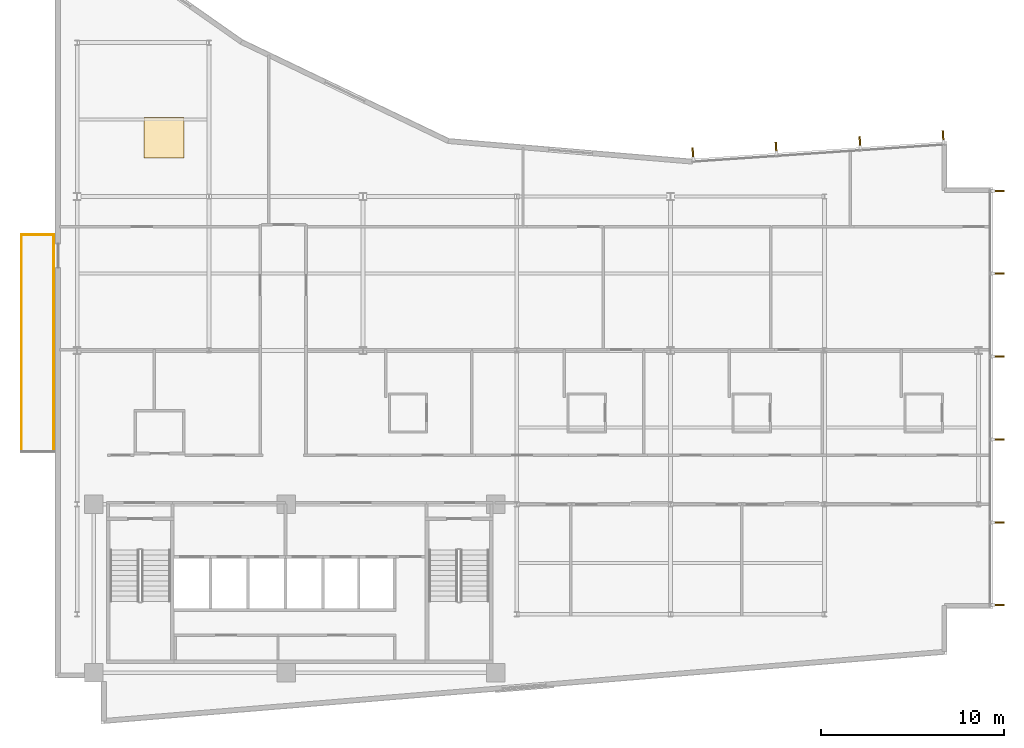
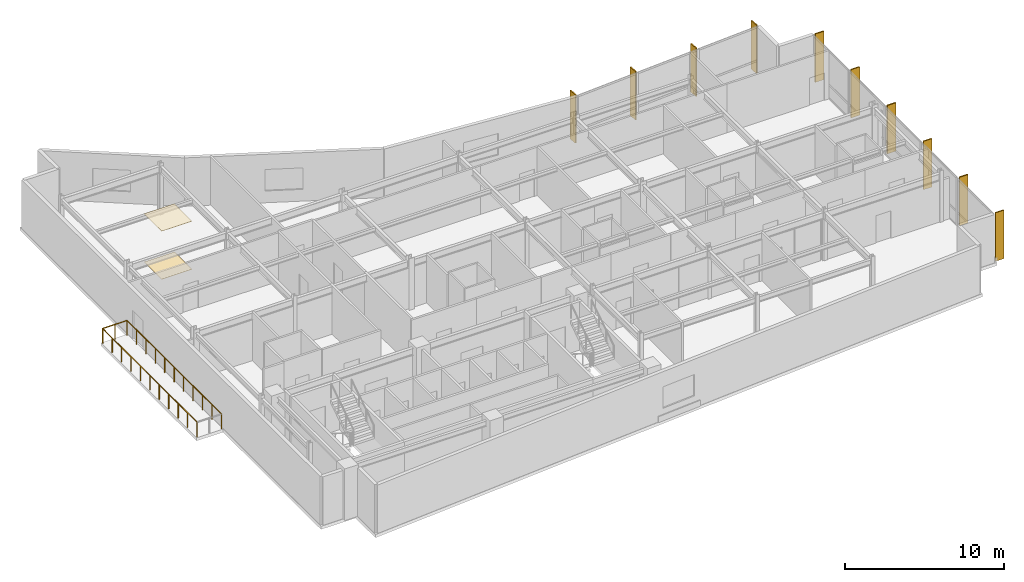
# One storey, part 15 of 16: 10 shading devices, 3 railings, 2 coverings.
"""IFC4 building model written with IfcOpenShell, lengths in metres."""

from ifc_helpers import new_model, si_unit, direction, frame, origin, origin_2d, place, context, subcontext, project, spatial, rectangle, circle, extrude, material, layer, layer_set, type_object, element, save


model = new_model("IFC4")

# Units and contexts
model_context = context("Model", 3, precision=1e-05, world=origin(), true_north=direction((0.0, 1.0)))
body_context = subcontext(model_context, "Body", "Model", "MODEL_VIEW")
ifc_project = project(units=[si_unit("LENGTHUNIT", "METRE"), si_unit("AREAUNIT", "SQUARE_METRE"), si_unit("VOLUMEUNIT", "CUBIC_METRE"), si_unit("PLANEANGLEUNIT", "RADIAN"), si_unit("MASSUNIT", "GRAM", prefix="KILO")], contexts=[model_context])

# Site, building, storey
site_placement = place(None, origin())
site = spatial("IfcSite", under=ifc_project, at=site_placement, CompositionType="ELEMENT")
building_placement = place(site_placement, origin())
building = spatial("IfcBuilding", under=site, at=building_placement, Name="Varnakote Quay Hospital", CompositionType="ELEMENT")
storey_placement = place(building_placement, frame((0.0, 0.0, 188.14990234375)))
storey = spatial("IfcBuildingStorey", under=building, at=storey_placement, Name="L46", CompositionType="ELEMENT", Elevation=188.14990234375)

# Coverings
ifc_material_1 = material(Name="Antimicrobial acoustic mineral ceiling tile", Category="gypsum")
ifc_layer_1 = layer(ifc_material_1, 0.02490234375)
ifc_layer_set_1 = layer_set([ifc_layer_1], Name="Antimicrobial acoustic mineral ceiling tile")
covering_type_1 = type_object("IfcCoveringType", Name="COV-CLIN-CEIL-25", PredefinedType="CEILING", material=ifc_layer_set_1)
covering_1_placement = place(storey_placement, frame((5.945068359375, 32.0048828125, 3.68505859375), z_axis=(0.0, 0.0, 1.0), x_axis=(1.0, 0.0, 0.0)))
element("IfcCovering", 1, at=covering_1_placement, inside=storey, type_object=covering_type_1, Name="L46 Antimicrobial Acoustic Ceiling Tile", PredefinedType="CEILING", context=body_context, shape_type="SweptSolid", body=[
    extrude(rectangle(XDim=2.199951171875, YDim=2.199951171875, at=origin_2d()), origin(), (0.0, 0.0, 1.0), 0.02490234375),
])
ifc_material_2 = material(Name="Seamless clinical sheet vinyl flooring")
ifc_layer_2 = layer(ifc_material_2, 0.011962890625)
ifc_layer_set_2 = layer_set([ifc_layer_2], Name="Seamless clinical sheet vinyl flooring")
covering_type_2 = type_object("IfcCoveringType", Name="COV-CLIN-VINYL-12", PredefinedType="FLOORING", material=ifc_layer_set_2)
covering_2_placement = place(storey_placement, frame((5.945068359375, 32.0048828125, 0.0), z_axis=(0.0, 0.0, 1.0), x_axis=(1.0, 0.0, 0.0)))
element("IfcCovering", 2, at=covering_2_placement, inside=storey, type_object=covering_type_2, Name="L46 Seamless Clinical Vinyl Flooring", PredefinedType="FLOORING", context=body_context, shape_type="SweptSolid", body=[
    extrude(rectangle(XDim=2.199951171875, YDim=2.199951171875, at=origin_2d()), origin(), (0.0, 0.0, 1.0), 0.011962890625),
])

# Railings
ifc_material_3 = material(Name="Anodised aluminium 6063-T6 Bronze", Category="aluminium")
railing_type = type_object("IfcRailingType", Name="RLG-EXT-GUARD-1150", PredefinedType="GUARDRAIL", material=ifc_material_3)
railing_1_placement = place(storey_placement, frame((-1.840087890625, 14.8798828125, 0.0)))
element("IfcRailing", 3, at=railing_1_placement, inside=storey, type_object=railing_type, Name="L46 Zigzag Prow Healing Terrace Safety Guard", PredefinedType="GUARDRAIL", context=body_context, shape_type="SweptSolid", body=[
    extrude(circle(Radius=0.02392578125, at=origin_2d()), frame((0.0, 0.0, 1.1259765625), z_axis=(0.0, 1.0, 0.0), x_axis=(-1.0, 0.0, 0.0)), (0.0, 0.0, 1.0), 11.840087890625),
    extrude(circle(Radius=0.02099609375, at=origin_2d()), origin(), (0.0, 0.0, 1.0), 1.101806640625),
    extrude(circle(Radius=0.02099609375, at=origin_2d()), frame((0.0, 1.18408203125, 0.0)), (0.0, 0.0, 1.0), 1.101806640625),
    extrude(circle(Radius=0.02099609375, at=origin_2d()), frame((0.0, 2.367919921875, 0.0)), (0.0, 0.0, 1.0), 1.101806640625),
    extrude(circle(Radius=0.02099609375, at=origin_2d()), frame((0.0, 3.552001953125, 0.0)), (0.0, 0.0, 1.0), 1.101806640625),
    extrude(circle(Radius=0.02099609375, at=origin_2d()), frame((0.0, 4.736083984375, 0.0)), (0.0, 0.0, 1.0), 1.101806640625),
    extrude(circle(Radius=0.02099609375, at=origin_2d()), frame((0.0, 5.919921875, 0.0)), (0.0, 0.0, 1.0), 1.101806640625),
    extrude(circle(Radius=0.02099609375, at=origin_2d()), frame((0.0, 7.10400390625, 0.0)), (0.0, 0.0, 1.0), 1.101806640625),
    extrude(circle(Radius=0.02099609375, at=origin_2d()), frame((0.0, 8.2880859375, 0.0)), (0.0, 0.0, 1.0), 1.101806640625),
    extrude(circle(Radius=0.02099609375, at=origin_2d()), frame((0.0, 9.47216796875, 0.0)), (0.0, 0.0, 1.0), 1.101806640625),
    extrude(circle(Radius=0.02099609375, at=origin_2d()), frame((0.0, 10.656005859375, 0.0)), (0.0, 0.0, 1.0), 1.101806640625),
    extrude(circle(Radius=0.02099609375, at=origin_2d()), frame((0.0, 11.840087890625, 0.0)), (0.0, 0.0, 1.0), 1.101806640625),
])
railing_2_placement = place(storey_placement, frame((-1.840087890625, 26.719970703125, 0.0)))
element("IfcRailing", 4, at=railing_2_placement, inside=storey, type_object=railing_type, Name="L46 Zigzag Prow Healing Terrace Safety Guard", PredefinedType="GUARDRAIL", context=body_context, shape_type="SweptSolid", body=[
    extrude(circle(Radius=0.02392578125, at=origin_2d()), frame((0.0, 0.0, 1.1259765625), z_axis=(1.0, 0.0, 0.0), x_axis=(0.0, 1.0, 0.0)), (0.0, 0.0, 1.0), 1.76416015625),
    extrude(circle(Radius=0.02099609375, at=origin_2d()), origin(), (0.0, 0.0, 1.0), 1.101806640625),
    extrude(circle(Radius=0.02099609375, at=origin_2d()), frame((0.882080078125, 0.0, 0.0)), (0.0, 0.0, 1.0), 1.101806640625),
    extrude(circle(Radius=0.02099609375, at=origin_2d()), frame((1.76416015625, 0.0, 0.0)), (0.0, 0.0, 1.0), 1.101806640625),
])
railing_3_placement = place(storey_placement, frame((-0.075927734375, 26.719970703125, 0.0)))
element("IfcRailing", 5, at=railing_3_placement, inside=storey, type_object=railing_type, Name="L46 Zigzag Prow Healing Terrace Safety Guard", PredefinedType="GUARDRAIL", context=body_context, shape_type="SweptSolid", body=[
    extrude(circle(Radius=0.02392578125, at=origin_2d()), frame((0.0, 0.0, 1.1259765625), z_axis=(0.0, -1.0, 0.0), x_axis=(1.0, 0.0, 0.0)), (0.0, 0.0, 1.0), 11.840087890625),
    extrude(circle(Radius=0.02099609375, at=origin_2d()), origin(), (0.0, 0.0, 1.0), 1.101806640625),
    extrude(circle(Radius=0.02099609375, at=origin_2d()), frame((0.0, -1.18408203125, 0.0)), (0.0, 0.0, 1.0), 1.101806640625),
    extrude(circle(Radius=0.02099609375, at=origin_2d()), frame((0.0, -2.367919921875, 0.0)), (0.0, 0.0, 1.0), 1.101806640625),
    extrude(circle(Radius=0.02099609375, at=origin_2d()), frame((0.0, -3.552001953125, 0.0)), (0.0, 0.0, 1.0), 1.101806640625),
    extrude(circle(Radius=0.02099609375, at=origin_2d()), frame((0.0, -4.736083984375, 0.0)), (0.0, 0.0, 1.0), 1.101806640625),
    extrude(circle(Radius=0.02099609375, at=origin_2d()), frame((0.0, -5.919921875, 0.0)), (0.0, 0.0, 1.0), 1.101806640625),
    extrude(circle(Radius=0.02099609375, at=origin_2d()), frame((0.0, -7.10400390625, 0.0)), (0.0, 0.0, 1.0), 1.101806640625),
    extrude(circle(Radius=0.02099609375, at=origin_2d()), frame((0.0, -8.2880859375, 0.0)), (0.0, 0.0, 1.0), 1.101806640625),
    extrude(circle(Radius=0.02099609375, at=origin_2d()), frame((0.0, -9.47216796875, 0.0)), (0.0, 0.0, 1.0), 1.101806640625),
    extrude(circle(Radius=0.02099609375, at=origin_2d()), frame((0.0, -10.656005859375, 0.0)), (0.0, 0.0, 1.0), 1.101806640625),
    extrude(circle(Radius=0.02099609375, at=origin_2d()), frame((0.0, -11.840087890625, 0.0)), (0.0, 0.0, 1.0), 1.101806640625),
])

# Shading devices
ifc_material_4 = material(Name="Anodised aluminium 6063-T6 Bronze", Category="aluminium")
ifc_layer_3 = layer(ifc_material_4, 0.0849609375)
ifc_layer_set_3 = layer_set([ifc_layer_3], Name="Anodised aluminium 6063-T6 Bronze")
shading_device_type = type_object("IfcShadingDeviceType", Name="SHD-BRONZE-FIN-620", PredefinedType="USERDEFINED", material=ifc_layer_set_3)
for number, where, z_axis, x_axis, name in (
    (6, (51.489990234375, 6.492431640625, 0.0), (0.0, 0.0, 1.0), (-1.0, 0.0, 0.0), "L46 Anodised Bronze Vertical Shading FIN"),
    (7, (51.489990234375, 10.99609375, 0.0), (0.0, 0.0, 1.0), (-1.0, 0.0, 0.0), "L46 Anodised Bronze Vertical Shading FIN"),
    (8, (51.489990234375, 15.531982421875, 0.0), (0.0, 0.0, 1.0), (-1.0, 0.0, 0.0), "L46 Anodised Bronze Vertical Shading FIN"),
    (9, (51.489990234375, 20.068115234375, 0.0), (0.0, 0.0, 1.0), (-1.0, 0.0, 0.0), "L46 Anodised Bronze Vertical Shading FIN"),
    (10, (51.489990234375, 24.60400390625, 0.0), (0.0, 0.0, 1.0), (-1.0, 0.0, 0.0), "L46 Anodised Bronze Vertical Shading FIN"),
    (11, (51.489990234375, 29.107421875, 0.0), (0.0, 0.0, 1.0), (-1.0, 0.0, 0.0), "L46 Anodised Bronze Vertical Shading FIN"),
    (12, (48.47705078125, 32.07568359375, 0.0), (0.0, 0.0, 1.0), (0.067841160875, -0.997696134548, 0.0), "L46 Anodised Bronze Vertical Shading FIN"),
    (13, (43.934326171875, 31.7666015625, 0.0), (0.0, 0.0, 1.0), (0.067841160875, -0.997696134548, 0.0), "L46 Anodised Bronze Vertical Shading FIN"),
    (14, (39.359375, 31.45556640625, 0.0), (0.0, 0.0, 1.0), (0.067841160875, -0.997696134548, 0.0), "L46 Anodised Bronze Vertical Shading FIN"),
    (15, (34.816650390625, 31.146728515625, 0.0), (0.0, 0.0, 1.0), (0.067841160875, -0.997696134548, 0.0), "L46 Anodised Bronze Vertical Shading FIN"),
):
    element("IfcShadingDevice", number, at=place(storey_placement, frame(where, z_axis=z_axis, x_axis=x_axis)), inside=storey, type_object=shading_device_type, Name=name, ObjectType="FIN", PredefinedType="USERDEFINED", context=body_context, shape_type="SweptSolid", body=[
        extrude(rectangle(XDim=0.6201171875, YDim=0.0849609375, at=origin_2d()), origin(), (0.0, 0.0, 1.0), 3.7099609375),
    ])

save(model, "model.ifc")
